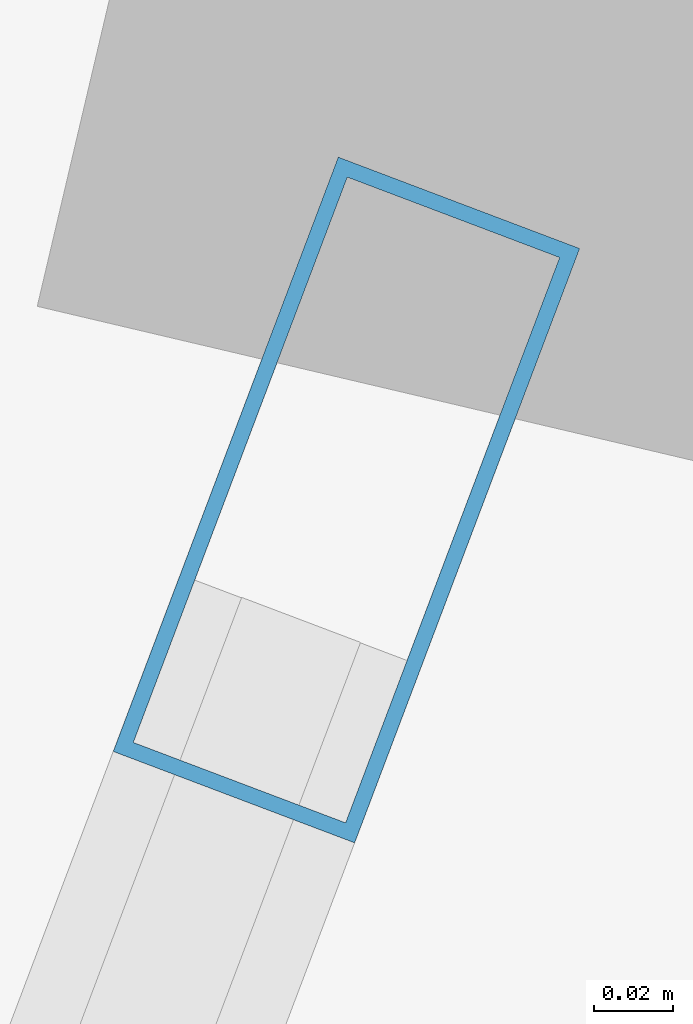
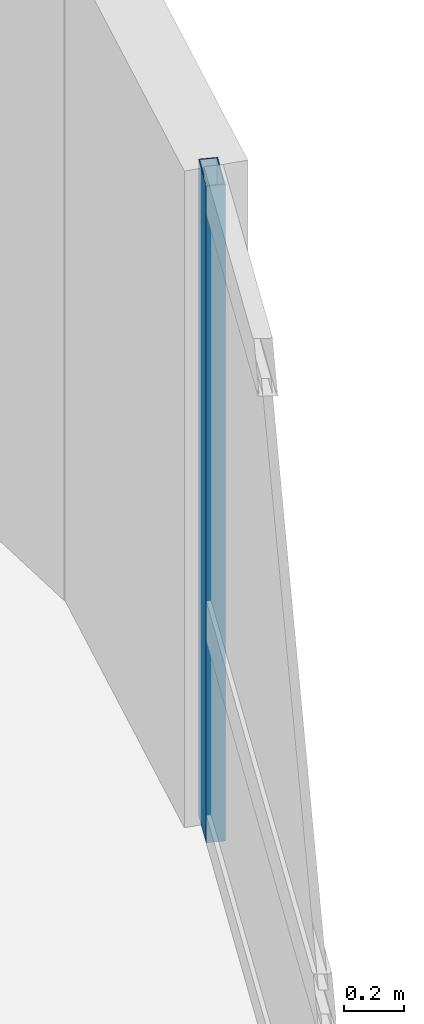
# One storey, part 16 of 25: 1 member, 1 element without a shape of its own.
"""IFC4 building model written with IfcOpenShell, lengths in metres."""

from ifc_helpers import new_model, si_unit, direction, frame, origin, origin_2d, place, context, subcontext, project, spatial, hollow_rectangle, extrude, material, layer, layer_set, material_profile, profile_set, type_object, element, aggregate, save


model = new_model("IFC4")

# Units and contexts
model_context = context("Model", 3, precision=1e-05, world=origin(), true_north=direction((0.0, 1.0)))
body_context = subcontext(model_context, "Body", "Model", "MODEL_VIEW")
ifc_project = project(units=[si_unit("LENGTHUNIT", "METRE"), si_unit("AREAUNIT", "SQUARE_METRE"), si_unit("VOLUMEUNIT", "CUBIC_METRE"), si_unit("PLANEANGLEUNIT", "RADIAN"), si_unit("MASSUNIT", "GRAM", prefix="KILO")], contexts=[model_context])

# Site, building, storey
site_placement = place(None, origin())
site = spatial("IfcSite", under=ifc_project, at=site_placement, CompositionType="ELEMENT")
building_placement = place(site_placement, origin())
building = spatial("IfcBuilding", under=site, at=building_placement, Name="Varnelok Gate Tower", CompositionType="ELEMENT")
storey_placement = place(building_placement, frame((0.0, 0.0, 113.199951171875)))
storey = spatial("IfcBuildingStorey", under=building, at=storey_placement, Name="L28", CompositionType="ELEMENT", Elevation=113.199951171875)

# Curtain wall, member
ifc_material = material(Name="Anodized Aluminum Alloy 6063-T6", Category="aluminium")
ifc_layer = layer(ifc_material, 0.179931640625)
ifc_layer_set = layer_set([ifc_layer], Name="Anodized Aluminum Alloy 6063-T6")
curtain_wall_type = type_object("IfcCurtainWallType", Name="CW3-HOTEL-VISION", PredefinedType="USERDEFINED", material=ifc_layer_set)
curtain_wall_placement = place(storey_placement, origin())
curtain_wall = element("IfcCurtainWall", 1, at=curtain_wall_placement, inside=storey, type_object=curtain_wall_type, Name="L28 East End Vision Curtain Wall", ObjectType="UNITISED CURTAIN WALL", PredefinedType="USERDEFINED")
ifc_material_profile = material_profile(ifc_material, hollow_rectangle(XDim=0.06494140625, YDim=0.159912109375, WallThickness=0.00390625, at=origin_2d()), Name="ALU160X65X4")
ifc_profile_set = profile_set([ifc_material_profile], Name="Anodized Aluminum Alloy 6063-T6")
member_type = type_object("IfcMemberType", Name="CW-MULL-160", PredefinedType="MULLION", material=ifc_profile_set)
member_placement = place(storey_placement, frame((80.443359375, 29.004638671875, 0.0), z_axis=(0.0, 0.0, 1.0), x_axis=(0.935221323688, -0.354063660545, 0.0)))
member = element("IfcMember", 2, at=member_placement, type_object=member_type, Name="CW3 mullion 1", PredefinedType="MULLION", context=body_context, shape_type="SweptSolid", body=[
    extrude(hollow_rectangle(XDim=0.06494140625, YDim=0.159912109375, WallThickness=0.00390625, at=origin_2d()), origin(), (0.0, 0.0, 1.0), 2.66015625),
])
aggregate(curtain_wall, [member])

save(model, "model.ifc")
